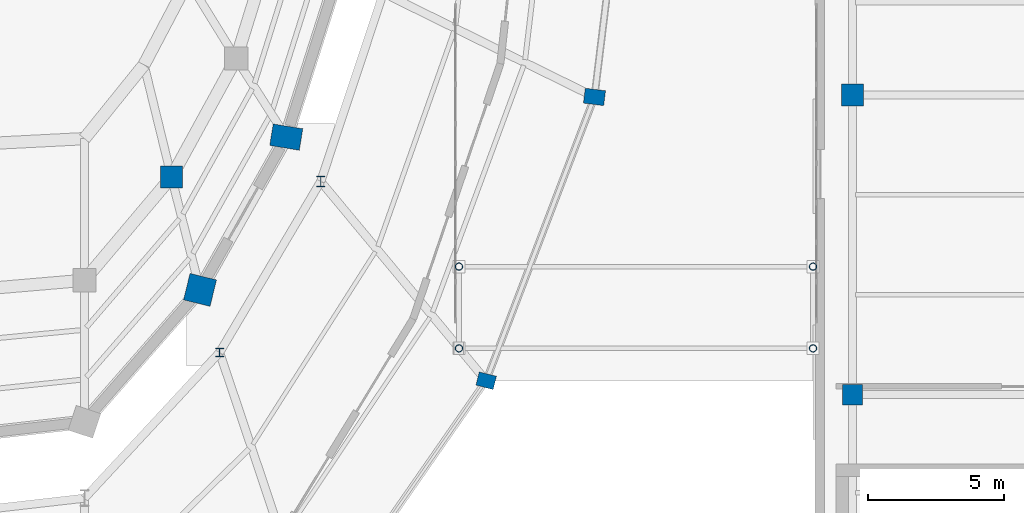
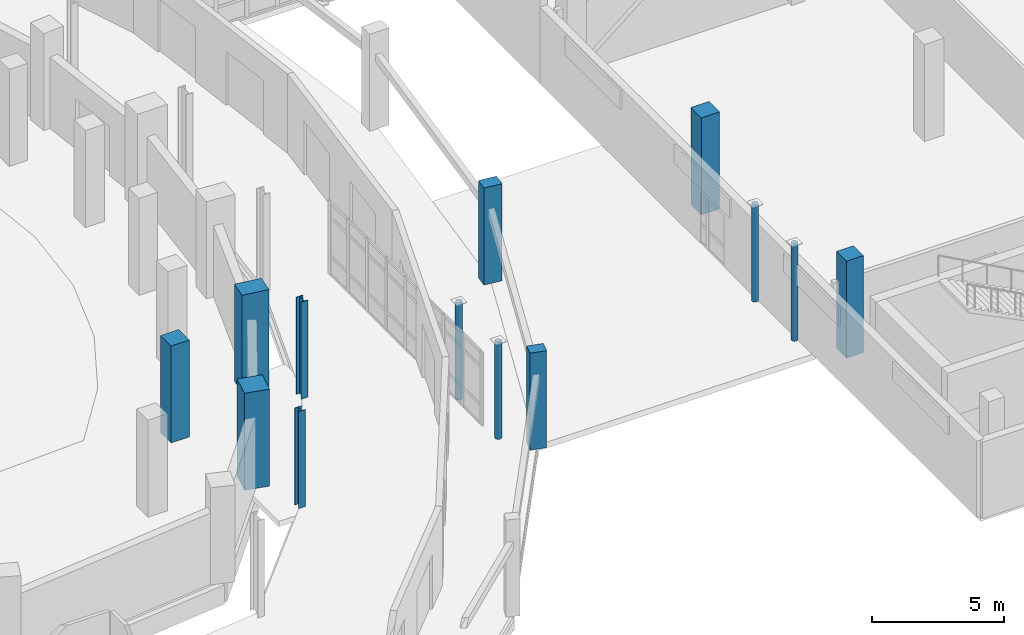
# One storey, part 21 of 122: 13 columns.
"""IFC4 building model written with IfcOpenShell, lengths in metres."""

from ifc_helpers import new_model, si_unit, direction, frame, origin, origin_2d, place, context, subcontext, project, spatial, rectangle, hollow_circle, i_section, extrude, material, material_profile, profile_set, type_object, element, save


model = new_model("IFC4")

# Units and contexts
model_context = context("Model", 3, precision=1e-05, world=origin(), true_north=direction((0.0, 1.0)))
body_context = subcontext(model_context, "Body", "Model", "MODEL_VIEW")
ifc_project = project(units=[si_unit("LENGTHUNIT", "METRE"), si_unit("AREAUNIT", "SQUARE_METRE"), si_unit("VOLUMEUNIT", "CUBIC_METRE"), si_unit("PLANEANGLEUNIT", "RADIAN"), si_unit("MASSUNIT", "GRAM", prefix="KILO")], contexts=[model_context])

# Site, building, storey
site_placement = place(None, origin())
site = spatial("IfcSite", under=ifc_project, at=site_placement, CompositionType="ELEMENT")
building_placement = place(site_placement, origin())
building = spatial("IfcBuilding", under=site, at=building_placement, Name="Sohan Crest Arena", CompositionType="ELEMENT")
storey_placement = place(building_placement, origin())
storey = spatial("IfcBuildingStorey", under=building, at=storey_placement, Name="L00", CompositionType="ELEMENT", Elevation=0.0)

# Columns
ifc_material_1 = material(Name="Concrete C40/50", Category="concrete")
ifc_material_profile_1 = material_profile(ifc_material_1, rectangle(XDim=0.75, YDim=0.75, at=origin_2d()), Name="RC 750x750")
ifc_profile_set_1 = profile_set([ifc_material_profile_1], Name="Concrete C40/50")
column_type_1 = type_object("IfcColumnType", Name="STR-COL-C04", PredefinedType="COLUMN", material=ifc_profile_set_1)
column_1_placement = place(storey_placement, frame((196.199951171875, 56.0, 0.0), z_axis=(0.0, 0.0, 1.0), x_axis=(1.0, 0.0, 0.0)))
element("IfcColumn", 1, at=column_1_placement, inside=storey, type_object=column_type_1, Name="Structural column COL-V4S-12-L00", PredefinedType="COLUMN", context=body_context, shape_type="SweptSolid", body=[
    extrude(rectangle(XDim=0.75, YDim=0.75, at=origin_2d()), origin(), (0.0, 0.0, 1.0), 4.5),
])
ifc_material_profile_2 = material_profile(ifc_material_1, rectangle(XDim=0.800048828125, YDim=0.800048828125, at=origin_2d()), Name="RC 800x800")
ifc_profile_set_2 = profile_set([ifc_material_profile_2], Name="Concrete C40/50")
column_type_2 = type_object("IfcColumnType", Name="STR-COL-C05", PredefinedType="COLUMN", material=ifc_profile_set_2)
for number, where, z_axis, x_axis, name in (
    (2, (171.194091796875, 63.988037109375, 0.0), (0.0, 0.0, 1.0), (1.0, 0.0, 0.0), "Structural column COL-V1M-21-L00"),
    (3, (196.199951171875, 67.0, 0.0), (0.0, 0.0, 1.0), (1.0, 0.0, 0.0), "Structural column COL-V4S-13-L00"),
):
    element("IfcColumn", number, at=place(storey_placement, frame(where, z_axis=z_axis, x_axis=x_axis)), inside=storey, type_object=column_type_2, Name=name, PredefinedType="COLUMN", context=body_context, shape_type="SweptSolid", body=[
        extrude(rectangle(XDim=0.800048828125, YDim=0.800048828125, at=origin_2d()), origin(), (0.0, 0.0, 1.0), 4.5),
    ])
ifc_material_profile_3 = material_profile(ifc_material_1, rectangle(XDim=1.0, YDim=1.0, at=origin_2d()), Name="RC 1000x1000")
ifc_profile_set_3 = profile_set([ifc_material_profile_3], Name="Concrete C40/50")
column_type_3 = type_object("IfcColumnType", Name="STR-COL-C09", PredefinedType="COLUMN", material=ifc_profile_set_3)
column_2_placement = place(storey_placement, frame((172.242919921875, 59.845947265625, 0.0), z_axis=(0.0, 0.0, 1.0), x_axis=(-0.971549119998, 0.236838146066, 0.0)))
element("IfcColumn", 4, at=column_2_placement, inside=storey, type_object=column_type_3, Name="Structural column COL-V1R-21-L00", PredefinedType="COLUMN", context=body_context, shape_type="SweptSolid", body=[
    extrude(rectangle(XDim=1.0, YDim=1.0, at=origin_2d()), origin(), (0.0, 0.0, 1.0), 4.5),
])
ifc_material_profile_4 = material_profile(ifc_material_1, rectangle(XDim=1.10009765625, YDim=0.800048828125, at=origin_2d()), Name="RC 1100x800")
ifc_profile_set_4 = profile_set([ifc_material_profile_4], Name="Concrete C40/50")
column_type_4 = type_object("IfcColumnType", Name="STR-COL-C10", PredefinedType="COLUMN", material=ifc_profile_set_4)
column_3_placement = place(storey_placement, frame((175.408935546875, 65.455078125, 0.0), z_axis=(0.0, 0.0, 1.0), x_axis=(-0.987136265073, 0.159881187692, 0.0)))
element("IfcColumn", 5, at=column_3_placement, inside=storey, type_object=column_type_4, Name="Structural column COL-V1R-22-L00", PredefinedType="COLUMN", context=body_context, shape_type="SweptSolid", body=[
    extrude(rectangle(XDim=1.10009765625, YDim=0.800048828125, at=origin_2d()), origin(), (0.0, 0.0, 1.0), 4.5),
])
ifc_material_2 = material(Name="Steel S355", Category="steel")
ifc_material_profile_5 = material_profile(ifc_material_2, i_section(OverallWidth=0.300048828125, OverallDepth=0.300048828125, WebThickness=0.010986328125, FlangeThickness=0.01904296875, at=origin_2d()), Name="HEB 300")
ifc_profile_set_5 = profile_set([ifc_material_profile_5], Name="Steel S355")
column_type_5 = type_object("IfcColumnType", Name="STR-COL-C17", PredefinedType="COLUMN", material=ifc_profile_set_5)
column_4_placement = place(storey_placement, frame((172.9609375, 57.547119140625, 0.0), z_axis=(0.0, 0.0, 1.0), x_axis=(1.0, 0.0, 0.0)))
element("IfcColumn", 6, at=column_4_placement, inside=storey, type_object=column_type_5, Name="Structural column COL-V2I-21-L00", PredefinedType="COLUMN", context=body_context, shape_type="SweptSolid", body=[
    extrude(i_section(OverallWidth=0.300048828125, OverallDepth=0.300048828125, WebThickness=0.010986328125, FlangeThickness=0.01904296875, at=origin_2d()), origin(), (0.0, 0.0, 1.0), 4.5),
])
ifc_material_profile_6 = material_profile(ifc_material_2, i_section(OverallWidth=0.300048828125, OverallDepth=0.39990234375, WebThickness=0.013427734375, FlangeThickness=0.02392578125, at=origin_2d()), Name="HEB 400")
ifc_profile_set_6 = profile_set([ifc_material_profile_6], Name="Steel S355")
column_type_6 = type_object("IfcColumnType", Name="STR-COL-C18", PredefinedType="COLUMN", material=ifc_profile_set_6)
column_5_placement = place(storey_placement, frame((176.674072265625, 63.824951171875, 0.0), z_axis=(0.0, 0.0, 1.0), x_axis=(1.0, 0.0, 0.0)))
element("IfcColumn", 7, at=column_5_placement, inside=storey, type_object=column_type_6, Name="Structural column COL-V2I-22-L00", PredefinedType="COLUMN", context=body_context, shape_type="SweptSolid", body=[
    extrude(i_section(OverallWidth=0.300048828125, OverallDepth=0.39990234375, WebThickness=0.013427734375, FlangeThickness=0.02392578125, at=origin_2d()), origin(), (0.0, 0.0, 1.0), 4.5),
])
ifc_material_profile_7 = material_profile(ifc_material_2, hollow_circle(Radius=0.136474609375, WallThickness=0.012451171875, at=origin_2d()), Name="CHS 273x12.5")
ifc_profile_set_7 = profile_set([ifc_material_profile_7], Name="Steel S355")
column_type_7 = type_object("IfcColumnType", Name="STR-COL-C25", PredefinedType="COLUMN", material=ifc_profile_set_7)
for number, where, z_axis, x_axis, name in (
    (8, (181.75, 57.699951171875, 0.0), (0.0, 0.0, 1.0), (1.0, 0.0, 0.0), "Structural column COL-BC-BR-E1-1-L00"),
    (9, (181.75, 60.699951171875, 0.0), (0.0, 0.0, 1.0), (1.0, 0.0, 0.0), "Structural column COL-BC-BR-E1-2-L00"),
    (10, (194.75, 57.699951171875, 0.0), (0.0, 0.0, 1.0), (1.0, 0.0, 0.0), "Structural column COL-BC-BR-E1-3-L00"),
    (11, (194.75, 60.699951171875, 0.0), (0.0, 0.0, 1.0), (1.0, 0.0, 0.0), "Structural column COL-BC-BR-E1-4-L00"),
):
    element("IfcColumn", number, at=place(storey_placement, frame(where, z_axis=z_axis, x_axis=x_axis)), inside=storey, type_object=column_type_7, Name=name, PredefinedType="COLUMN", context=body_context, shape_type="SweptSolid", body=[
        extrude(hollow_circle(Radius=0.136474609375, WallThickness=0.012451171875, at=origin_2d()), origin(), (0.0, 0.0, 1.0), 4.5),
    ])
ifc_material_profile_8 = material_profile(ifc_material_1, rectangle(XDim=0.64990234375, YDim=0.5, at=origin_2d()), Name="RC 650x500")
ifc_profile_set_8 = profile_set([ifc_material_profile_8], Name="Concrete C40/50")
column_type_8 = type_object("IfcColumnType", Name="STR-COL-PC02", PredefinedType="PILASTER", material=ifc_profile_set_8)
column_6_placement = place(storey_placement, frame((182.7490234375, 56.510986328125, 0.0), z_axis=(0.0, 0.0, 1.0), x_axis=(-0.969445349895, 0.245307385879, 0.0)))
element("IfcColumn", 12, at=column_6_placement, inside=storey, type_object=column_type_8, Name="Structural column COL-V2O-22-L00", PredefinedType="PILASTER", context=body_context, shape_type="SweptSolid", body=[
    extrude(rectangle(XDim=0.64990234375, YDim=0.5, at=origin_2d()), origin(), (0.0, 0.0, 1.0), 4.5),
])
ifc_material_profile_9 = material_profile(ifc_material_1, rectangle(XDim=0.75, YDim=0.550048828125, at=origin_2d()), Name="RC 750x550")
ifc_profile_set_9 = profile_set([ifc_material_profile_9], Name="Concrete C40/50")
column_type_9 = type_object("IfcColumnType", Name="STR-COL-PC03", PredefinedType="PILASTER", material=ifc_profile_set_9)
column_7_placement = place(storey_placement, frame((186.72509765625, 66.929931640625, 0.0), z_axis=(0.0, 0.0, 1.0), x_axis=(-0.992331937885, 0.12360147674, 0.0)))
element("IfcColumn", 13, at=column_7_placement, inside=storey, type_object=column_type_9, Name="Structural column COL-V2O-23-L00", PredefinedType="PILASTER", context=body_context, shape_type="SweptSolid", body=[
    extrude(rectangle(XDim=0.75, YDim=0.550048828125, at=origin_2d()), origin(), (0.0, 0.0, 1.0), 4.5),
])

save(model, "model.ifc")
